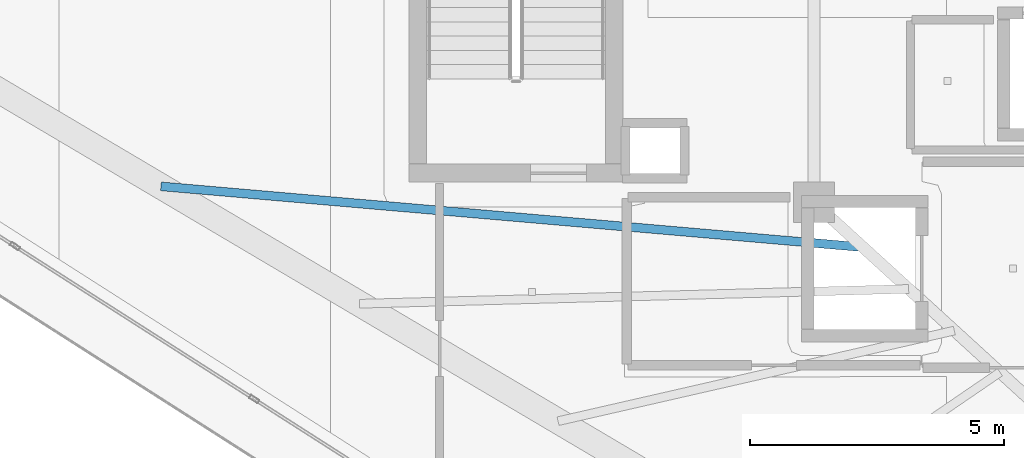
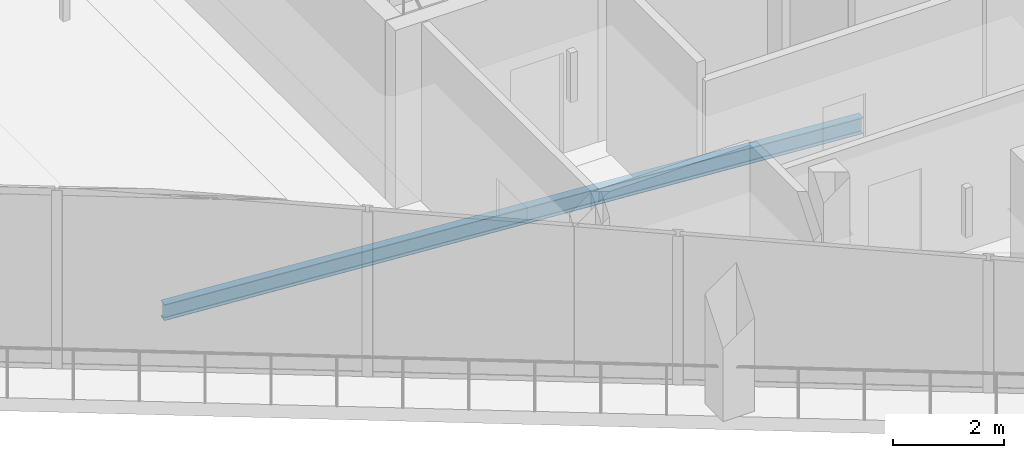
# One storey, part 7 of 36: 1 beam.
"""IFC4 building model written with IfcOpenShell, lengths in metres."""

from ifc_helpers import new_model, si_unit, direction, frame, origin, origin_2d, place, context, subcontext, project, spatial, i_section, extrude, material, material_profile, profile_set, type_object, element, save


model = new_model("IFC4")

# Units and contexts
model_context = context("Model", 3, precision=1e-05, world=origin(), true_north=direction((0.0, 1.0)))
body_context = subcontext(model_context, "Body", "Model", "MODEL_VIEW")
ifc_project = project(units=[si_unit("LENGTHUNIT", "METRE"), si_unit("AREAUNIT", "SQUARE_METRE"), si_unit("VOLUMEUNIT", "CUBIC_METRE"), si_unit("PLANEANGLEUNIT", "RADIAN"), si_unit("MASSUNIT", "GRAM", prefix="KILO")], contexts=[model_context])

# Site, building, storey
site_placement = place(None, origin())
site = spatial("IfcSite", under=ifc_project, at=site_placement, CompositionType="ELEMENT")
building_placement = place(site_placement, origin())
building = spatial("IfcBuilding", under=site, at=building_placement, Name="Qorvath Tower", CompositionType="ELEMENT")
storey_placement = place(building_placement, frame((0.0, 0.0, 272.39990234375)))
storey = spatial("IfcBuildingStorey", under=building, at=storey_placement, Name="L63", CompositionType="ELEMENT", Elevation=272.39990234375)

# Beam
ifc_material = material(Name="Steel ASTM A992 Grade 50", Category="steel")
ifc_material_profile = material_profile(ifc_material, i_section(OverallWidth=0.1708984375, OverallDepth=0.35107421875, WebThickness=0.0068359375, FlangeThickness=0.009765625, FilletRadius=0.010009765625, at=origin_2d()), Name="W14x30")
ifc_profile_set = profile_set([ifc_material_profile], Name="Steel ASTM A992 Grade 50")
beam_type = type_object("IfcBeamType", Name="BM-FJ4", PredefinedType="JOIST", material=ifc_profile_set)
beam_placement = place(storey_placement, frame((-29.533935546875, -6.031982421875, -0.46533203125), z_axis=(-0.996257895131, 0.086430355719, 0.0), x_axis=(-0.086430355719, -0.996257895131, 0.0)))
element("IfcBeam", 1, at=beam_placement, inside=storey, type_object=beam_type, Name="Composite Floor Joist SW1 L63", PredefinedType="JOIST", context=body_context, shape_type="SweptSolid", body=[
    extrude(i_section(OverallWidth=0.1708984375, OverallDepth=0.35107421875, WebThickness=0.0068359375, FlangeThickness=0.009765625, FilletRadius=0.010009765625, at=origin_2d()), origin(), (0.0, 0.0, 1.0), 13.852294921875),
])

save(model, "model.ifc")
